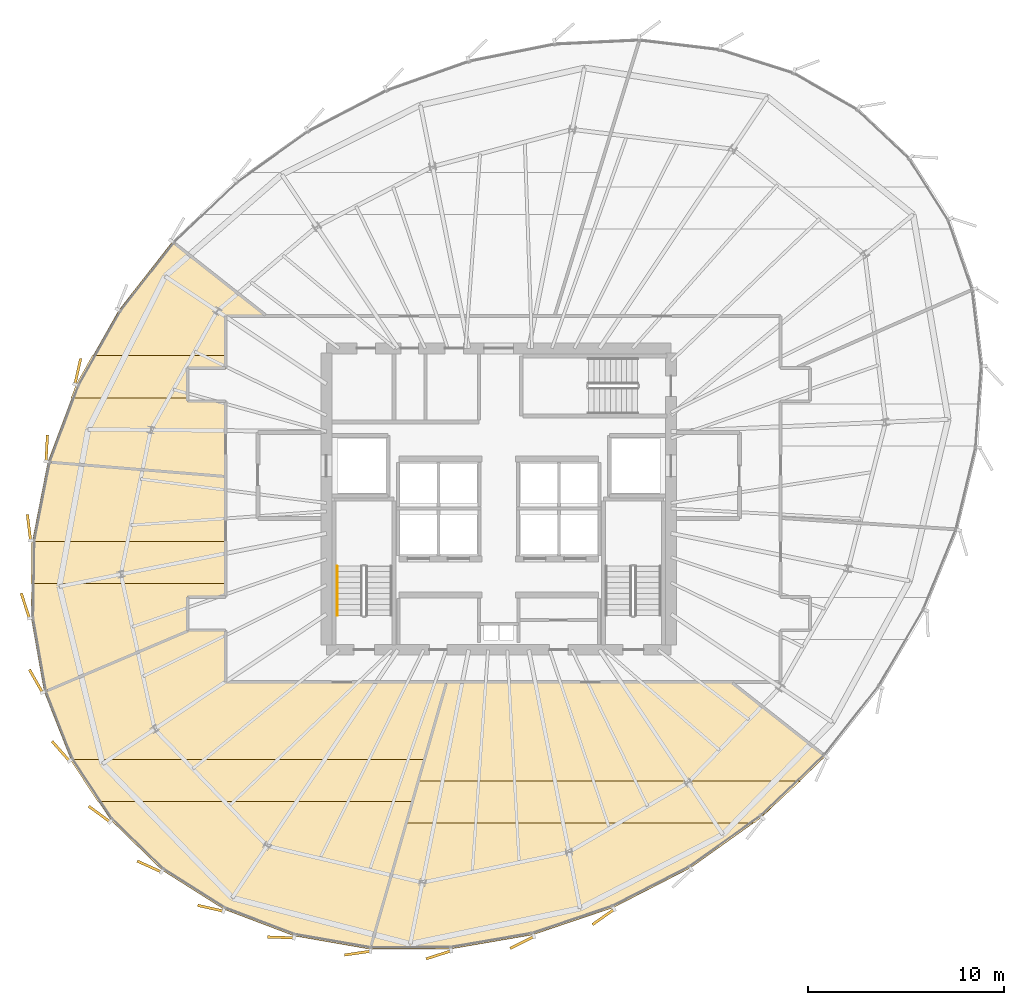
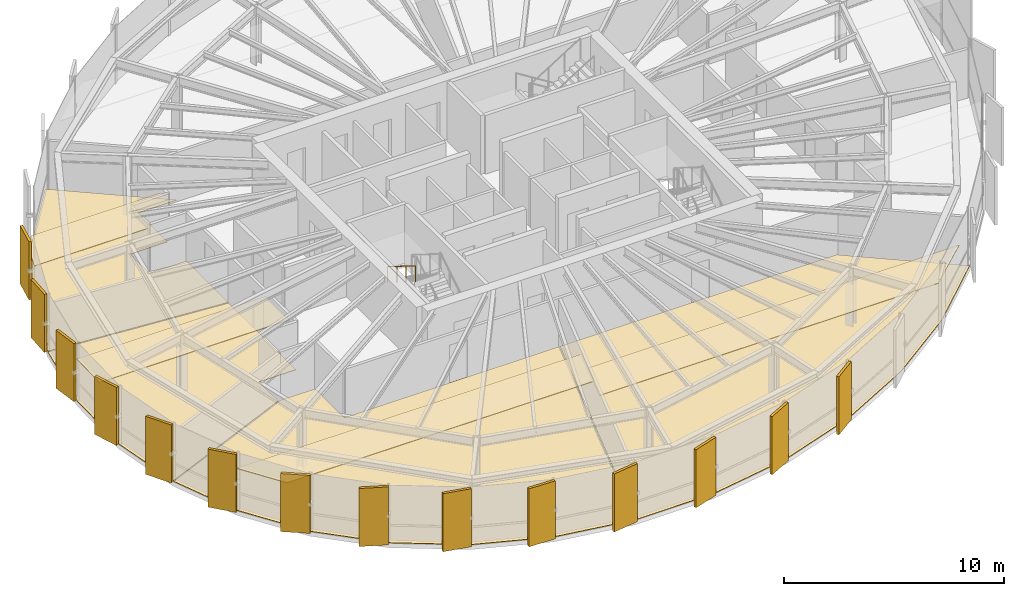
# One storey, part 33 of 35: 22 coverings, 1 railing.
"""IFC4 building model written with IfcOpenShell, lengths in metres."""

from ifc_helpers import new_model, si_unit, direction, frame, origin, origin_2d, place, context, subcontext, project, spatial, polyline, rectangle, circle, outline, extrude, source, transform, mapped, material, layer, layer_set, type_object, element, save


model = new_model("IFC4")

# Units and contexts
model_context = context("Model", 3, precision=1e-05, world=origin(), true_north=direction((0.0, 1.0)))
body_context = subcontext(model_context, "Body", "Model", "MODEL_VIEW")
ifc_project = project(units=[si_unit("LENGTHUNIT", "METRE"), si_unit("AREAUNIT", "SQUARE_METRE"), si_unit("VOLUMEUNIT", "CUBIC_METRE"), si_unit("PLANEANGLEUNIT", "RADIAN"), si_unit("MASSUNIT", "GRAM", prefix="KILO"), si_unit("THERMODYNAMICTEMPERATUREUNIT", "KELVIN")], contexts=[model_context])

# Site, building, storey
site_placement = place(None, origin())
site = spatial("IfcSite", under=ifc_project, at=site_placement, CompositionType="ELEMENT")
building_placement = place(site_placement, origin())
building = spatial("IfcBuilding", under=site, at=building_placement, Name="Kethvar Cultural Tower", CompositionType="ELEMENT")
storey_placement = place(building_placement, frame((0.0, 0.0, 193.89990234375)))
storey = spatial("IfcBuildingStorey", under=building, at=storey_placement, Name="L50", CompositionType="ELEMENT", Elevation=193.89990234375)

# Coverings
ifc_material_1 = material(Name="Acoustic Mineral Fibre Ceiling")
ifc_layer_1 = layer(ifc_material_1, 0.0400390625, Name="Acoustic Mineral Fibre Ceiling")
ifc_layer_set_1 = layer_set([ifc_layer_1], Name="Acoustic Mineral Fibre Ceiling (40 mm)")
covering_type_1 = type_object("IfcCoveringType", Name="CV-ACOUSTIC-CEIL", PredefinedType="CEILING", material=ifc_layer_set_1)
covering_1_placement = place(storey_placement, frame((0.0, 0.0, 2.340087890625)))
element("IfcCovering", 1, at=covering_1_placement, inside=storey, type_object=covering_type_1, Name="L50 Room 01 Acoustic Ceiling Panel", PredefinedType="CEILING", context=body_context, shape_type="SweptSolid", body=[
    extrude(outline(polyline([(26.312744140625, 12.349609375), (24.900634765625, 14.49951171875), (43.037841796875, 14.49951171875), (42.42626953125, 12.349609375), (26.312744140625, 12.349609375)])), origin(), (0.0, 0.0, 1.0), 0.0400390625),
])
covering_2_placement = place(storey_placement, frame((0.0, 0.0, 2.340087890625)))
element("IfcCovering", 2, at=covering_2_placement, inside=storey, type_object=covering_type_1, Name="L50 Room 02 Acoustic Ceiling Panel", PredefinedType="CEILING", context=body_context, shape_type="SweptSolid", body=[
    extrude(outline(polyline([(62.2158203125, 13.39404296875), (59.864013671875, 11.243896484375), (42.0703125, 11.243896484375), (42.681884765625, 13.39404296875), (62.2158203125, 13.39404296875)])), origin(), (0.0, 0.0, 1.0), 0.0400390625),
])
covering_3_placement = place(storey_placement, frame((0.0, 0.0, 2.340087890625)))
element("IfcCovering", 3, at=covering_3_placement, inside=storey, type_object=covering_type_1, Name="L50 Room 07 Acoustic Ceiling Panel", PredefinedType="CEILING", context=body_context, shape_type="SweptSolid", body=[
    extrude(outline(polyline([(25.21875, 33.68310546875), (26.033447265625, 35.124755859375), (32.8701171875, 35.124755859375), (32.855712890625, 34.48095703125), (30.919921875, 34.47998046875), (30.919921875, 32.974609375), (24.953369140625, 32.974609375), (25.21875, 33.68310546875)])), origin(), (0.0, 0.0, 1.0), 0.0400390625),
])
covering_4_placement = place(storey_placement, frame((0.0, 0.0, 2.340087890625)))
element("IfcCovering", 4, at=covering_4_placement, inside=storey, type_object=covering_type_1, Name="L50 Room 08 Acoustic Ceiling Panel", PredefinedType="CEILING", context=body_context, shape_type="SweptSolid", body=[
    extrude(outline(polyline([(22.943115234375, 25.639892578125), (32.8701171875, 25.639892578125), (32.8701171875, 23.48974609375), (22.909423828125, 23.48974609375), (22.943115234375, 25.639892578125)])), origin(), (0.0, 0.0, 1.0), 0.0400390625),
])
ifc_material_2 = material(Name="Architectural Oak Timber", Category="wood")
ifc_layer_2 = layer(ifc_material_2, 0.02490234375, Name="Architectural Oak Timber", Category="wood")
ifc_layer_set_2 = layer_set([ifc_layer_2], Name="Architectural Oak Timber (25 mm)")
covering_type_2 = type_object("IfcCoveringType", Name="CV-OAK-FLOOR", PredefinedType="FLOORING", material=ifc_layer_set_2)
covering_5_placement = place(storey_placement, origin())
element("IfcCovering", 5, at=covering_5_placement, inside=storey, type_object=covering_type_2, Name="L50 Room 01 Floor Finish", PredefinedType="FLOORING", context=body_context, shape_type="SweptSolid", body=[
    extrude(outline(polyline([(36.355712890625, 5.4833984375), (32.773681640625, 6.841552734375), (29.6181640625, 8.83642578125), (26.984619140625, 11.4072265625), (24.952880859375, 14.475830078125), (23.591064453125, 17.93310546875), (31.00927734375, 21.080078125), (32.830078125, 21.080078125), (32.84619140625, 18.430419921875), (44.114013671875, 18.429931640625), (40.239013671875, 4.8056640625), (36.355712890625, 5.4833984375)])), origin(), (0.0, 0.0, 1.0), 0.025146484375),
])
covering_6_placement = place(storey_placement, origin())
element("IfcCovering", 6, at=covering_6_placement, inside=storey, type_object=covering_type_2, Name="L50 Room 02 Floor Finish", PredefinedType="FLOORING", context=body_context, shape_type="SweptSolid", body=[
    extrude(outline(polyline([(63.47314453125, 14.650146484375), (60.236083984375, 11.55859375), (56.590576171875, 8.95849609375), (52.6474609375, 6.930908203125), (48.526611328125, 5.53759765625), (44.353759765625, 4.8212890625), (40.27978515625, 4.802978515625), (44.15576171875, 18.429931640625), (58.67138671875, 18.429931640625), (63.47314453125, 14.650146484375)])), origin(), (0.0, 0.0, 1.0), 0.025146484375),
])
covering_7_placement = place(storey_placement, origin())
element("IfcCovering", 7, at=covering_7_placement, inside=storey, type_object=covering_type_2, Name="L50 Room 07 Floor Finish", PredefinedType="FLOORING", context=body_context, shape_type="SweptSolid", body=[
    extrude(outline(polyline([(23.778564453125, 29.725830078125), (25.255615234375, 33.66748046875), (27.396240234375, 37.454345703125), (30.115234375, 40.93310546875), (34.88671875, 37.169921875), (32.8388671875, 37.16650390625), (32.830078125, 34.52001953125), (30.880859375, 34.505859375), (30.88720703125, 32.784423828125), (32.830078125, 32.780029296875), (32.830078125, 28.9765625), (23.778564453125, 29.725830078125)])), origin(), (0.0, 0.0, 1.0), 0.025146484375),
])
covering_8_placement = place(storey_placement, origin())
element("IfcCovering", 8, at=covering_8_placement, inside=storey, type_object=covering_type_2, Name="L50 Room 08 Floor Finish", PredefinedType="FLOORING", context=body_context, shape_type="SweptSolid", body=[
    extrude(outline(polyline([(22.92138671875, 21.722412109375), (22.98388671875, 25.68017578125), (23.7666015625, 29.686767578125), (32.830078125, 28.9365234375), (32.830078125, 22.820068359375), (30.88720703125, 22.8154296875), (30.90673828125, 21.080078125), (23.58056640625, 17.97216796875), (22.92138671875, 21.722412109375)])), origin(), (0.0, 0.0, 1.0), 0.025146484375),
])

# Railing
ifc_material_3 = material(Name="Steel S355J2", Category="steel")
railing_type = type_object("IfcRailingType", Name="RL-STAIR-HANDRAIL", PredefinedType="HANDRAIL", material=ifc_material_3)
railing_placement = place(storey_placement, frame((38.5400390625, 24.3701171875, 1.925048828125)))
element("IfcRailing", 9, at=railing_placement, inside=storey, type_object=railing_type, Name="L50 ST-01 stair handrail 2", PredefinedType="HANDRAIL", context=body_context, shape_type="SweptSolid", body=[
    extrude(circle(Radius=0.02392578125, at=origin_2d()), frame((0.0, 0.0, 0.8759765625), z_axis=(0.0, -0.848007534815, 0.529984170421), x_axis=(1.0, 0.0, 0.0)), (0.0, 0.0, 1.0), 2.9716796875),
    extrude(circle(Radius=0.02099609375, at=origin_2d()), origin(), (0.0, 0.0, 1.0), 0.851806640625),
    extrude(circle(Radius=0.02099609375, at=origin_2d()), frame((0.0, -0.840087890625, 0.52490234375)), (0.0, 0.0, 1.0), 0.851806640625),
    extrude(circle(Radius=0.02099609375, at=origin_2d()), frame((0.0, -1.679931640625, 1.050048828125)), (0.0, 0.0, 1.0), 0.851806640625),
    extrude(circle(Radius=0.02099609375, at=origin_2d()), frame((0.0, -2.52001953125, 1.574951171875)), (0.0, 0.0, 1.0), 0.851806640625),
])

# Coverings
ifc_material_4 = material(Name="Extruded Architectural Terracotta", Category="masonry")
ifc_layer_3 = layer(ifc_material_4, 0.135009765625, Name="Extruded Architectural Terracotta", Category="masonry")
ifc_layer_set_3 = layer_set([ifc_layer_3], Name="Extruded Architectural Terracotta (135 mm)")
covering_type_3 = type_object("IfcCoveringType", Name="Terracotta Facade Fin FIN-03", PredefinedType="CLADDING", material=ifc_layer_set_3)
shared_shape = source(origin(), body_context, "Body", "SweptSolid", [
    extrude(rectangle(XDim=1.35009765625, YDim=0.135009765625, at=origin_2d()), origin(), (0.0, 0.0, 1.0), 3.219970703125),
])
for number, where, z_axis, x_axis, name in (
    (10, (25.29541015625, 34.32666015625, 0.02001953125), (0.0, 0.0, 1.0), (0.21712114433, 0.976144665859, 0.0), "L50 Vertical Terracotta Fin 3.1"),
    (11, (23.7080078125, 30.397705078125, 0.02001953125), (0.0, 0.0, 1.0), (0.053381689759, 0.99857418112, 0.0), "L50 Vertical Terracotta Fin 3.2"),
    (12, (22.800537109375, 26.353515625, 0.02001953125), (0.0, 0.0, 1.0), (-0.12360147674, 0.992331937885, 0.0), "L50 Vertical Terracotta Fin 3.3"),
    (13, (22.614501953125, 22.34912109375, 0.02001953125), (0.0, 0.0, 1.0), (-0.308518980011, 0.951218186839, 0.0), "L50 Vertical Terracotta Fin 3.4"),
    (14, (23.158203125, 18.502197265625, 0.02001953125), (0.0, 0.0, 1.0), (-0.492423560103, 0.87035569594, 0.0), "L50 Vertical Terracotta Fin 3.5"),
    (15, (24.4208984375, 14.927978515625, 0.02001953125), (0.0, 0.0, 1.0), (-0.662750755556, 0.748840060367, 0.0), "L50 Vertical Terracotta Fin 3.6"),
    (16, (26.397216796875, 11.709716796875, 0.02001953125), (0.0, 0.0, 1.0), (-0.805824944182, 0.592153830802, 0.0), "L50 Vertical Terracotta Fin 4.1"),
    (17, (28.94775390625, 9.031005859375, 0.02001953125), (0.0, 0.0, 1.0), (-0.911403276635, 0.411514358605, 0.0), "L50 Vertical Terracotta Fin 4.2"),
    (18, (32.078125, 6.89794921875, 0.02001953125), (0.0, 0.0, 1.0), (-0.975265223151, 0.221037880265, 0.0), "L50 Vertical Terracotta Fin 4.3"),
    (19, (35.662109375, 5.407470703125, 0.02001953125), (0.0, 0.0, 1.0), (-0.999450215942, 0.033155178389, 0.0), "L50 Vertical Terracotta Fin 4.4"),
    (20, (39.585693359375, 4.60595703125, 0.02001953125), (0.0, 0.0, 1.0), (-0.989626327559, -0.143665346556, 0.0), "L50 Vertical Terracotta Fin 4.5"),
    (21, (43.72607421875, 4.5166015625, 0.02001953125), (0.0, 0.0, 1.0), (-0.952448993995, -0.304698069961, 0.0), "L50 Vertical Terracotta Fin 4.6"),
    (22, (47.990966796875, 5.15185546875, 0.02001953125), (0.0, 0.0, 1.0), (-0.893528175816, -0.449007125805, 0.0), "L50 Vertical Terracotta Fin 5.1"),
    (23, (52.140380859375, 6.4521484375, 0.02001953125), (0.0, 0.0, 1.0), (-0.817044279471, -0.576574926079, 0.0), "L50 Vertical Terracotta Fin 5.2"),
):
    element("IfcCovering", number, at=place(storey_placement, frame(where, z_axis=z_axis, x_axis=x_axis)), inside=storey, type_object=covering_type_3, Name=name, PredefinedType="CLADDING", context=body_context, shape_type="MappedRepresentation", body=[
        mapped(shared_shape, transform((0.0, 0.0, 0.0), scale=1.0)),
    ])

save(model, "model.ifc")
